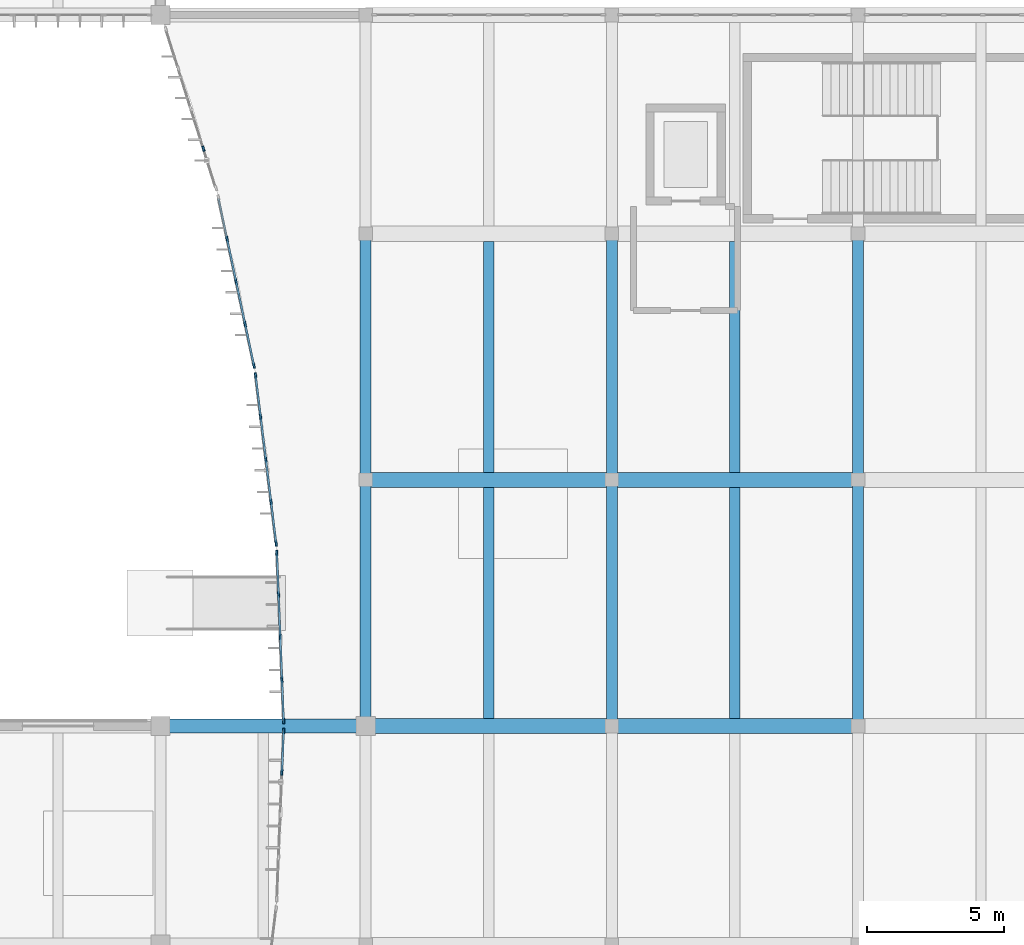
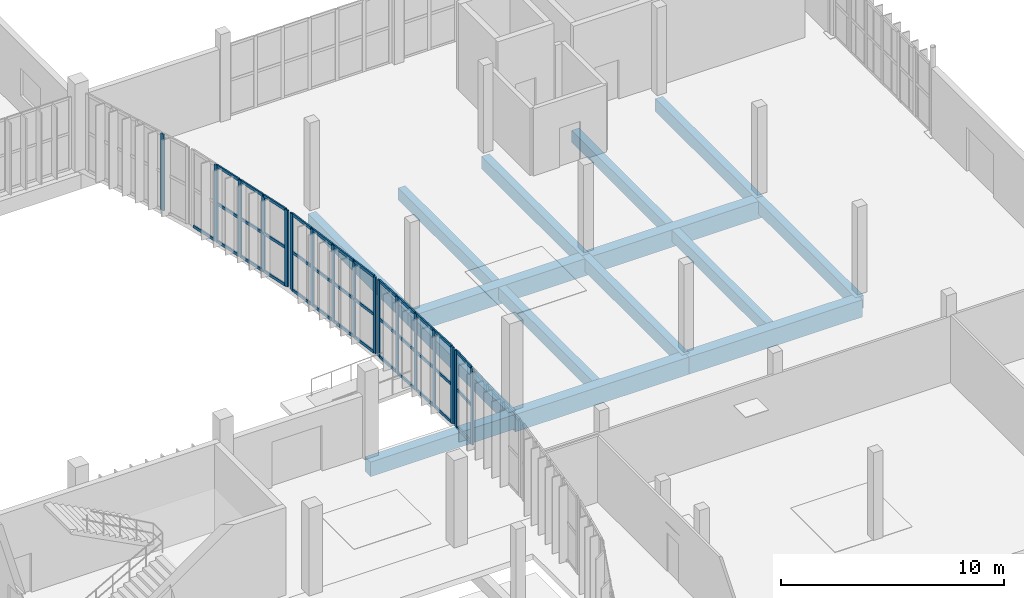
# One storey, part 29 of 72: 54 members, 15 beams, 5 elements without a shape of their own.
"""IFC4 building model written with IfcOpenShell, lengths in metres."""

from ifc_helpers import new_model, si_unit, direction, frame, origin, origin_2d, place, context, subcontext, project, spatial, rectangle, extrude, material, material_profile, profile_set, type_object, element, aggregate, save


model = new_model("IFC4")

# Units and contexts
model_context = context("Model", 3, precision=1e-05, world=origin(), true_north=direction((0.0, 1.0)))
body_context = subcontext(model_context, "Body", "Model", "MODEL_VIEW")
ifc_project = project(units=[si_unit("LENGTHUNIT", "METRE"), si_unit("AREAUNIT", "SQUARE_METRE"), si_unit("VOLUMEUNIT", "CUBIC_METRE"), si_unit("PLANEANGLEUNIT", "RADIAN"), si_unit("MASSUNIT", "GRAM", prefix="KILO")], contexts=[model_context])

# Site, building, storey
site_placement = place(None, origin())
site = spatial("IfcSite", under=ifc_project, at=site_placement, CompositionType="ELEMENT")
building_placement = place(site_placement, origin())
building = spatial("IfcBuilding", under=site, at=building_placement, Name="Vourika Railside Aquatics Centre", CompositionType="ELEMENT")
storey_placement = place(building_placement, origin())
storey = spatial("IfcBuildingStorey", under=building, at=storey_placement, Name="L00", CompositionType="ELEMENT", Elevation=0.0)

# Beams
ifc_material_1 = material(Name="Concrete C35/45", Category="concrete")
ifc_material_profile_1 = material_profile(ifc_material_1, rectangle(XDim=0.39990234375, YDim=0.699951171875, at=origin_2d()), Name="RC 400x700")
ifc_profile_set_1 = profile_set([ifc_material_profile_1], Name="Concrete C35/45")
beam_type_1 = type_object("IfcBeamType", Name="BM-GIRD-400x700", PredefinedType="BEAM", material=ifc_profile_set_1)
for number, where, z_axis, x_axis, name in (
    (1, (141.0, 66.0, -0.669921875), (0.0, 1.0, 0.0), (-1.0, 0.0, 0.0), "Floor Girder GY-L00-324"),
    (2, (141.0, 75.0, -0.669921875), (0.0, 1.0, 0.0), (-1.0, 0.0, 0.0), "Floor Girder GY-L00-325"),
    (3, (150.0, 66.0, -0.669921875), (0.0, 1.0, 0.0), (-1.0, 0.0, 0.0), "Floor Girder GY-L00-335"),
    (4, (150.0, 75.0, -0.669921875), (0.0, 1.0, 0.0), (-1.0, 0.0, 0.0), "Floor Girder GY-L00-336"),
    (5, (159.0, 66.0, -0.669921875), (0.0, 1.0, 0.0), (-1.0, 0.0, 0.0), "Floor Girder GY-L00-341"),
    (6, (159.0, 75.0, -0.669921875), (0.0, 1.0, 0.0), (-1.0, 0.0, 0.0), "Floor Girder GY-L00-342"),
):
    element("IfcBeam", number, at=place(storey_placement, frame(where, z_axis=z_axis, x_axis=x_axis)), inside=storey, type_object=beam_type_1, Name=name, PredefinedType="BEAM", context=body_context, shape_type="SweptSolid", body=[
        extrude(rectangle(XDim=0.39990234375, YDim=0.699951171875, at=origin_2d()), origin(), (0.0, 0.0, 1.0), 9.0),
    ])
ifc_material_2 = material(Name="Concrete C40/50", Category="concrete")
ifc_material_profile_2 = material_profile(ifc_material_2, rectangle(XDim=0.550048828125, YDim=0.949951171875, at=origin_2d()), Name="RC 550x950")
ifc_profile_set_2 = profile_set([ifc_material_profile_2], Name="Concrete C40/50")
beam_type_2 = type_object("IfcBeamType", Name="BM-GIRD-550x950", PredefinedType="BEAM", material=ifc_profile_set_2)
for number, where, z_axis, x_axis, name in (
    (7, (141.0, 66.0, -0.794921875), (1.0, 0.0, 0.0), (0.0, 1.0, 0.0), "Floor Beam GX-L00-111"),
    (8, (150.0, 66.0, -0.794921875), (1.0, 0.0, 0.0), (0.0, 1.0, 0.0), "Floor Beam GX-L00-112"),
    (9, (141.0, 75.0, -0.794921875), (1.0, 0.0, 0.0), (0.0, 1.0, 0.0), "Floor Beam GX-L00-116"),
    (10, (150.0, 75.0, -0.794921875), (1.0, 0.0, 0.0), (0.0, 1.0, 0.0), "Floor Beam GX-L00-117"),
):
    element("IfcBeam", number, at=place(storey_placement, frame(where, z_axis=z_axis, x_axis=x_axis)), inside=storey, type_object=beam_type_2, Name=name, PredefinedType="BEAM", context=body_context, shape_type="SweptSolid", body=[
        extrude(rectangle(XDim=0.550048828125, YDim=0.949951171875, at=origin_2d()), origin(), (0.0, 0.0, 1.0), 9.0),
    ])
ifc_material_profile_3 = material_profile(ifc_material_1, rectangle(XDim=0.3798828125, YDim=0.64990234375, at=origin_2d()), Name="RC 380x650")
ifc_profile_set_3 = profile_set([ifc_material_profile_3], Name="Concrete C35/45")
beam_type_3 = type_object("IfcBeamType", Name="BM-SEC-380x650", PredefinedType="JOIST", material=ifc_profile_set_3)
for number, where, z_axis, x_axis, name in (
    (11, (145.5, 66.27490234375, -0.64501953125), (0.0, 1.0, 0.0), (-1.0, 0.0, 0.0), "Secondary Joist JY-L00-421"),
    (12, (154.5, 66.27490234375, -0.64501953125), (0.0, 1.0, 0.0), (-1.0, 0.0, 0.0), "Secondary Joist JY-L00-422"),
    (13, (145.5, 75.27490234375, -0.64501953125), (0.0, 1.0, 0.0), (-1.0, 0.0, 0.0), "Secondary Joist JY-L00-426"),
    (14, (154.5, 75.27490234375, -0.64501953125), (0.0, 1.0, 0.0), (-1.0, 0.0, 0.0), "Secondary Joist JY-L00-427"),
):
    element("IfcBeam", number, at=place(storey_placement, frame(where, z_axis=z_axis, x_axis=x_axis)), inside=storey, type_object=beam_type_3, Name=name, PredefinedType="JOIST", context=body_context, shape_type="SweptSolid", body=[
        extrude(rectangle(XDim=0.3798828125, YDim=0.64990234375, at=origin_2d()), origin(), (0.0, 0.0, 1.0), 8.4501953125),
    ])
ifc_material_profile_4 = material_profile(ifc_material_2, rectangle(XDim=0.5, YDim=0.800048828125, at=origin_2d()), Name="RC 500x800")
ifc_profile_set_4 = profile_set([ifc_material_profile_4], Name="Concrete C40/50")
beam_type_4 = type_object("IfcBeamType", Name="BM-TIE-500x800", PredefinedType="BEAM", material=ifc_profile_set_4)
beam_placement = place(storey_placement, frame((133.5, 66.0, -0.719970703125), z_axis=(1.0, 0.0, 0.0), x_axis=(0.0, 1.0, 0.0)))
element("IfcBeam", 15, at=beam_placement, inside=storey, type_object=beam_type_4, Name="Floor Beam GX-L00-110", PredefinedType="BEAM", context=body_context, shape_type="SweptSolid", body=[
    extrude(rectangle(XDim=0.5, YDim=0.800048828125, at=origin_2d()), origin(), (0.0, 0.0, 1.0), 7.5),
])

# Curtain wall, members
ifc_material_3 = material(Name="Anodized thermally broken aluminium", Category="aluminium")
curtain_wall_type = type_object("IfcCurtainWallType", Name="CW-FOYC0", PredefinedType="NOTDEFINED", material=ifc_material_3)
curtain_wall_1_placement = place(storey_placement, origin())
curtain_wall_1 = element("IfcCurtainWall", 16, at=curtain_wall_1_placement, inside=storey, type_object=curtain_wall_type, Name="Curved Courtyard Foyer Curtain Wall L00-4", PredefinedType="NOTDEFINED")
ifc_material_4 = material(Name="Anodized aluminium mullion", Category="aluminium")
ifc_material_profile_5 = material_profile(ifc_material_4, rectangle(XDim=0.073974609375, YDim=0.195068359375, at=origin_2d()), Name="ALU-M 74x195")
ifc_profile_set_5 = profile_set([ifc_material_profile_5], Name="Anodized aluminium mullion")
member_type_1 = type_object("IfcMemberType", Name="CWM-FOYC0", PredefinedType="MULLION", material=ifc_profile_set_5)
member_1_placement = place(storey_placement, frame((137.99853515625, 65.822998046875, 0.0), z_axis=(0.0, 0.0, 1.0), x_axis=(0.999199675116, -0.040000115606, 0.0)))
member_1 = element("IfcMember", 17, at=member_1_placement, type_object=member_type_1, Name="CW07 mullion 1", PredefinedType="MULLION", context=body_context, shape_type="SweptSolid", body=[
    extrude(rectangle(XDim=0.073974609375, YDim=0.195068359375, at=origin_2d()), origin(), (0.0, 0.0, 1.0), 4.199951171875),
])
member_2_placement = place(storey_placement, frame((137.937744140625, 64.304931640625, 0.0), z_axis=(0.0, 0.0, 1.0), x_axis=(0.999199675116, -0.040000115606, 0.0)))
member_2 = element("IfcMember", 18, at=member_2_placement, type_object=member_type_1, Name="CW07 mullion 2", PredefinedType="MULLION", context=body_context, shape_type="SweptSolid", body=[
    extrude(rectangle(XDim=0.073974609375, YDim=0.195068359375, at=origin_2d()), origin(), (0.0, 0.0, 1.0), 4.199951171875),
])

curtain_wall_2_placement = place(storey_placement, origin())
curtain_wall_2 = element("IfcCurtainWall", 19, at=curtain_wall_2_placement, inside=storey, type_object=curtain_wall_type, Name="Curved Courtyard Foyer Curtain Wall L00-5", PredefinedType="NOTDEFINED")
member_3_placement = place(storey_placement, frame((137.75244140625, 72.322998046875, 0.0), z_axis=(0.0, 0.0, 1.0), x_axis=(0.999199675116, 0.040000115606, 0.0)))
member_3 = element("IfcMember", 20, at=member_3_placement, type_object=member_type_1, Name="CW07 mullion 1", PredefinedType="MULLION", context=body_context, shape_type="SweptSolid", body=[
    extrude(rectangle(XDim=0.073974609375, YDim=0.195068359375, at=origin_2d()), origin(), (0.0, 0.0, 1.0), 4.199951171875),
])
member_4_placement = place(storey_placement, frame((137.813232421875, 70.804931640625, 0.0), z_axis=(0.0, 0.0, 1.0), x_axis=(0.999199675116, 0.040000115606, 0.0)))
member_4 = element("IfcMember", 21, at=member_4_placement, type_object=member_type_1, Name="CW07 mullion 2", PredefinedType="MULLION", context=body_context, shape_type="SweptSolid", body=[
    extrude(rectangle(XDim=0.073974609375, YDim=0.195068359375, at=origin_2d()), origin(), (0.0, 0.0, 1.0), 4.199951171875),
])
member_5_placement = place(storey_placement, frame((137.87548828125, 69.25, 0.0), z_axis=(0.0, 0.0, 1.0), x_axis=(0.999199675116, 0.040000115606, 0.0)))
member_5 = element("IfcMember", 22, at=member_5_placement, type_object=member_type_1, Name="CW07 mullion 3", PredefinedType="MULLION", context=body_context, shape_type="SweptSolid", body=[
    extrude(rectangle(XDim=0.073974609375, YDim=0.195068359375, at=origin_2d()), origin(), (0.0, 0.0, 1.0), 4.199951171875),
])
member_6_placement = place(storey_placement, frame((137.937744140625, 67.695068359375, 0.0), z_axis=(0.0, 0.0, 1.0), x_axis=(0.999199675116, 0.040000115606, 0.0)))
member_6 = element("IfcMember", 23, at=member_6_placement, type_object=member_type_1, Name="CW07 mullion 4", PredefinedType="MULLION", context=body_context, shape_type="SweptSolid", body=[
    extrude(rectangle(XDim=0.073974609375, YDim=0.195068359375, at=origin_2d()), origin(), (0.0, 0.0, 1.0), 4.199951171875),
])
member_7_placement = place(storey_placement, frame((137.99853515625, 66.177001953125, 0.0), z_axis=(0.0, 0.0, 1.0), x_axis=(0.999199675116, 0.040000115606, 0.0)))
member_7 = element("IfcMember", 24, at=member_7_placement, type_object=member_type_1, Name="CW07 mullion 5", PredefinedType="MULLION", context=body_context, shape_type="SweptSolid", body=[
    extrude(rectangle(XDim=0.073974609375, YDim=0.195068359375, at=origin_2d()), origin(), (0.0, 0.0, 1.0), 4.199951171875),
])

curtain_wall_3_placement = place(storey_placement, origin())
curtain_wall_3 = element("IfcCurtainWall", 25, at=curtain_wall_3_placement, inside=storey, type_object=curtain_wall_type, Name="Curved Courtyard Foyer Curtain Wall L00-6", PredefinedType="NOTDEFINED")
member_8_placement = place(storey_placement, frame((136.972412109375, 78.8232421875, 0.0), z_axis=(0.0, 0.0, 1.0), x_axis=(0.992598563525, 0.121441721361, 0.0)))
member_8 = element("IfcMember", 26, at=member_8_placement, type_object=member_type_1, Name="CW07 mullion 1", PredefinedType="MULLION", context=body_context, shape_type="SweptSolid", body=[
    extrude(rectangle(XDim=0.073974609375, YDim=0.195068359375, at=origin_2d()), origin(), (0.0, 0.0, 1.0), 4.199951171875),
])
member_9_placement = place(storey_placement, frame((137.158203125, 77.304931640625, 0.0), z_axis=(0.0, 0.0, 1.0), x_axis=(0.992598563525, 0.121441721361, 0.0)))
member_9 = element("IfcMember", 27, at=member_9_placement, type_object=member_type_1, Name="CW07 mullion 2", PredefinedType="MULLION", context=body_context, shape_type="SweptSolid", body=[
    extrude(rectangle(XDim=0.073974609375, YDim=0.195068359375, at=origin_2d()), origin(), (0.0, 0.0, 1.0), 4.199951171875),
])
member_10_placement = place(storey_placement, frame((137.348388671875, 75.75, 0.0), z_axis=(0.0, 0.0, 1.0), x_axis=(0.992598563525, 0.121441721361, 0.0)))
member_10 = element("IfcMember", 28, at=member_10_placement, type_object=member_type_1, Name="CW07 mullion 3", PredefinedType="MULLION", context=body_context, shape_type="SweptSolid", body=[
    extrude(rectangle(XDim=0.073974609375, YDim=0.195068359375, at=origin_2d()), origin(), (0.0, 0.0, 1.0), 4.199951171875),
])
member_11_placement = place(storey_placement, frame((137.538818359375, 74.195068359375, 0.0), z_axis=(0.0, 0.0, 1.0), x_axis=(0.992598563525, 0.121441721361, 0.0)))
member_11 = element("IfcMember", 29, at=member_11_placement, type_object=member_type_1, Name="CW07 mullion 4", PredefinedType="MULLION", context=body_context, shape_type="SweptSolid", body=[
    extrude(rectangle(XDim=0.073974609375, YDim=0.195068359375, at=origin_2d()), origin(), (0.0, 0.0, 1.0), 4.199951171875),
])
member_12_placement = place(storey_placement, frame((137.724609375, 72.6767578125, 0.0), z_axis=(0.0, 0.0, 1.0), x_axis=(0.992598563525, 0.121441721361, 0.0)))
member_12 = element("IfcMember", 30, at=member_12_placement, type_object=member_type_1, Name="CW07 mullion 5", PredefinedType="MULLION", context=body_context, shape_type="SweptSolid", body=[
    extrude(rectangle(XDim=0.073974609375, YDim=0.195068359375, at=origin_2d()), origin(), (0.0, 0.0, 1.0), 4.199951171875),
])

curtain_wall_4_placement = place(storey_placement, origin())
curtain_wall_4 = element("IfcCurtainWall", 31, at=curtain_wall_4_placement, inside=storey, type_object=curtain_wall_type, Name="Curved Courtyard Foyer Curtain Wall L00-7", PredefinedType="NOTDEFINED")
member_13_placement = place(storey_placement, frame((135.931884765625, 83.804931640625, 0.0), z_axis=(0.0, 0.0, 1.0), x_axis=(0.978214773139, 0.207595418094, 0.0)))
member_13 = element("IfcMember", 32, at=member_13_placement, type_object=member_type_1, Name="CW07 mullion 2", PredefinedType="MULLION", context=body_context, shape_type="SweptSolid", body=[
    extrude(rectangle(XDim=0.073974609375, YDim=0.195068359375, at=origin_2d()), origin(), (0.0, 0.0, 1.0), 4.199951171875),
])
member_14_placement = place(storey_placement, frame((136.261962890625, 82.25, 0.0), z_axis=(0.0, 0.0, 1.0), x_axis=(0.978214773139, 0.207595418094, 0.0)))
member_14 = element("IfcMember", 33, at=member_14_placement, type_object=member_type_1, Name="CW07 mullion 3", PredefinedType="MULLION", context=body_context, shape_type="SweptSolid", body=[
    extrude(rectangle(XDim=0.073974609375, YDim=0.195068359375, at=origin_2d()), origin(), (0.0, 0.0, 1.0), 4.199951171875),
])
member_15_placement = place(storey_placement, frame((136.592041015625, 80.695068359375, 0.0), z_axis=(0.0, 0.0, 1.0), x_axis=(0.978214773139, 0.207595418094, 0.0)))
member_15 = element("IfcMember", 34, at=member_15_placement, type_object=member_type_1, Name="CW07 mullion 4", PredefinedType="MULLION", context=body_context, shape_type="SweptSolid", body=[
    extrude(rectangle(XDim=0.073974609375, YDim=0.195068359375, at=origin_2d()), origin(), (0.0, 0.0, 1.0), 4.199951171875),
])
member_16_placement = place(storey_placement, frame((136.914306640625, 79.17626953125, 0.0), z_axis=(0.0, 0.0, 1.0), x_axis=(0.978214773139, 0.207595418094, 0.0)))
member_16 = element("IfcMember", 35, at=member_16_placement, type_object=member_type_1, Name="CW07 mullion 5", PredefinedType="MULLION", context=body_context, shape_type="SweptSolid", body=[
    extrude(rectangle(XDim=0.073974609375, YDim=0.195068359375, at=origin_2d()), origin(), (0.0, 0.0, 1.0), 4.199951171875),
])

# Curtain wall, member
curtain_wall_5_placement = place(storey_placement, origin())
curtain_wall_5 = element("IfcCurtainWall", 36, at=curtain_wall_5_placement, inside=storey, type_object=curtain_wall_type, Name="Curved Courtyard Foyer Curtain Wall L00-8", PredefinedType="NOTDEFINED")
member_17_placement = place(storey_placement, frame((135.066650390625, 87.110107421875, 0.0), z_axis=(0.0, 0.0, 1.0), x_axis=(0.953947300696, 0.29997424472, 0.0)))
member_17 = element("IfcMember", 37, at=member_17_placement, type_object=member_type_1, Name="CW07 mullion 4", PredefinedType="MULLION", context=body_context, shape_type="SweptSolid", body=[
    extrude(rectangle(XDim=0.073974609375, YDim=0.195068359375, at=origin_2d()), origin(), (0.0, 0.0, 1.0), 4.199951171875),
])
aggregate(curtain_wall_5, [member_17])

# Member
ifc_material_5 = material(Name="Anodized aluminium transom", Category="aluminium")
ifc_material_profile_6 = material_profile(ifc_material_5, rectangle(XDim=0.073974609375, YDim=0.155029296875, at=origin_2d()), Name="ALU-T 74x155")
ifc_profile_set_6 = profile_set([ifc_material_profile_6], Name="Anodized aluminium transom")
member_type_2 = type_object("IfcMemberType", Name="CWT-FOYC0", PredefinedType="USERDEFINED", material=ifc_profile_set_6)
member_18_placement = place(storey_placement, frame((137.9970703125, 65.7861328125, 0.037109375), z_axis=(-0.040035500783, -0.999198257943, 0.0), x_axis=(0.999198257943, -0.040035500783, 0.0)))
member_18 = element("IfcMember", 38, at=member_18_placement, type_object=member_type_2, Name="CW07 transom 1.1", ObjectType="TRANSOM", PredefinedType="USERDEFINED", context=body_context, shape_type="SweptSolid", body=[
    extrude(rectangle(XDim=0.073974609375, YDim=0.155029296875, at=origin_2d()), origin(), (0.0, 0.0, 1.0), 1.4453125),
])

member_19_placement = place(storey_placement, frame((137.9970703125, 65.7861328125, 2.10009765625), z_axis=(-0.040035500783, -0.999198257943, 0.0), x_axis=(0.999198257943, -0.040035500783, 0.0)))
member_19 = element("IfcMember", 39, at=member_19_placement, type_object=member_type_2, Name="CW07 transom 1.2", ObjectType="TRANSOM", PredefinedType="USERDEFINED", context=body_context, shape_type="SweptSolid", body=[
    extrude(rectangle(XDim=0.073974609375, YDim=0.155029296875, at=origin_2d()), origin(), (0.0, 0.0, 1.0), 1.4453125),
])

member_20_placement = place(storey_placement, frame((137.9970703125, 65.7861328125, 4.1630859375), z_axis=(-0.040035500783, -0.999198257943, 0.0), x_axis=(0.999198257943, -0.040035500783, 0.0)))
member_20 = element("IfcMember", 40, at=member_20_placement, type_object=member_type_2, Name="CW07 transom 1.3", ObjectType="TRANSOM", PredefinedType="USERDEFINED", context=body_context, shape_type="SweptSolid", body=[
    extrude(rectangle(XDim=0.073974609375, YDim=0.155029296875, at=origin_2d()), origin(), (0.0, 0.0, 1.0), 1.4453125),
])

aggregate(curtain_wall_1, [member_1, member_2, member_18, member_19, member_20])

member_21_placement = place(storey_placement, frame((137.75390625, 72.2861328125, 0.037109375), z_axis=(0.040035500783, -0.999198257943, 0.0), x_axis=(0.999198257943, 0.040035500783, 0.0)))
member_21 = element("IfcMember", 41, at=member_21_placement, type_object=member_type_2, Name="CW07 transom 1.1", ObjectType="TRANSOM", PredefinedType="USERDEFINED", context=body_context, shape_type="SweptSolid", body=[
    extrude(rectangle(XDim=0.073974609375, YDim=0.155029296875, at=origin_2d()), origin(), (0.0, 0.0, 1.0), 1.4453125),
])

member_22_placement = place(storey_placement, frame((137.75390625, 72.2861328125, 2.10009765625), z_axis=(0.040035500783, -0.999198257943, 0.0), x_axis=(0.999198257943, 0.040035500783, 0.0)))
member_22 = element("IfcMember", 42, at=member_22_placement, type_object=member_type_2, Name="CW07 transom 1.2", ObjectType="TRANSOM", PredefinedType="USERDEFINED", context=body_context, shape_type="SweptSolid", body=[
    extrude(rectangle(XDim=0.073974609375, YDim=0.155029296875, at=origin_2d()), origin(), (0.0, 0.0, 1.0), 1.4453125),
])

member_23_placement = place(storey_placement, frame((137.75390625, 72.2861328125, 4.1630859375), z_axis=(0.040035500783, -0.999198257943, 0.0), x_axis=(0.999198257943, 0.040035500783, 0.0)))
member_23 = element("IfcMember", 43, at=member_23_placement, type_object=member_type_2, Name="CW07 transom 1.3", ObjectType="TRANSOM", PredefinedType="USERDEFINED", context=body_context, shape_type="SweptSolid", body=[
    extrude(rectangle(XDim=0.073974609375, YDim=0.155029296875, at=origin_2d()), origin(), (0.0, 0.0, 1.0), 1.4453125),
])

member_24_placement = place(storey_placement, frame((137.814697265625, 70.76806640625, 0.037109375), z_axis=(0.040020656204, -0.99919885262, 0.0), x_axis=(0.99919885262, 0.040020656204, 0.0)))
member_24 = element("IfcMember", 44, at=member_24_placement, type_object=member_type_2, Name="CW07 transom 2.1", ObjectType="TRANSOM", PredefinedType="USERDEFINED", context=body_context, shape_type="SweptSolid", body=[
    extrude(rectangle(XDim=0.073974609375, YDim=0.155029296875, at=origin_2d()), origin(), (0.0, 0.0, 1.0), 1.482421875),
])

member_25_placement = place(storey_placement, frame((137.814697265625, 70.76806640625, 2.10009765625), z_axis=(0.040020656204, -0.99919885262, 0.0), x_axis=(0.99919885262, 0.040020656204, 0.0)))
member_25 = element("IfcMember", 45, at=member_25_placement, type_object=member_type_2, Name="CW07 transom 2.2", ObjectType="TRANSOM", PredefinedType="USERDEFINED", context=body_context, shape_type="SweptSolid", body=[
    extrude(rectangle(XDim=0.073974609375, YDim=0.155029296875, at=origin_2d()), origin(), (0.0, 0.0, 1.0), 1.482421875),
])

member_26_placement = place(storey_placement, frame((137.814697265625, 70.76806640625, 4.1630859375), z_axis=(0.040020656204, -0.99919885262, 0.0), x_axis=(0.99919885262, 0.040020656204, 0.0)))
member_26 = element("IfcMember", 46, at=member_26_placement, type_object=member_type_2, Name="CW07 transom 2.3", ObjectType="TRANSOM", PredefinedType="USERDEFINED", context=body_context, shape_type="SweptSolid", body=[
    extrude(rectangle(XDim=0.073974609375, YDim=0.155029296875, at=origin_2d()), origin(), (0.0, 0.0, 1.0), 1.482421875),
])

member_27_placement = place(storey_placement, frame((137.876953125, 69.213134765625, 0.037109375), z_axis=(0.040020656204, -0.99919885262, 0.0), x_axis=(0.99919885262, 0.040020656204, 0.0)))
member_27 = element("IfcMember", 47, at=member_27_placement, type_object=member_type_2, Name="CW07 transom 3.1", ObjectType="TRANSOM", PredefinedType="USERDEFINED", context=body_context, shape_type="SweptSolid", body=[
    extrude(rectangle(XDim=0.073974609375, YDim=0.155029296875, at=origin_2d()), origin(), (0.0, 0.0, 1.0), 1.482421875),
])

member_28_placement = place(storey_placement, frame((137.876953125, 69.213134765625, 2.10009765625), z_axis=(0.040020656204, -0.99919885262, 0.0), x_axis=(0.99919885262, 0.040020656204, 0.0)))
member_28 = element("IfcMember", 48, at=member_28_placement, type_object=member_type_2, Name="CW07 transom 3.2", ObjectType="TRANSOM", PredefinedType="USERDEFINED", context=body_context, shape_type="SweptSolid", body=[
    extrude(rectangle(XDim=0.073974609375, YDim=0.155029296875, at=origin_2d()), origin(), (0.0, 0.0, 1.0), 1.482421875),
])

member_29_placement = place(storey_placement, frame((137.876953125, 69.213134765625, 4.1630859375), z_axis=(0.040020656204, -0.99919885262, 0.0), x_axis=(0.99919885262, 0.040020656204, 0.0)))
member_29 = element("IfcMember", 49, at=member_29_placement, type_object=member_type_2, Name="CW07 transom 3.3", ObjectType="TRANSOM", PredefinedType="USERDEFINED", context=body_context, shape_type="SweptSolid", body=[
    extrude(rectangle(XDim=0.073974609375, YDim=0.155029296875, at=origin_2d()), origin(), (0.0, 0.0, 1.0), 1.482421875),
])

member_30_placement = place(storey_placement, frame((137.939208984375, 67.657958984375, 0.037109375), z_axis=(0.040035500783, -0.999198257943, 0.0), x_axis=(0.999198257943, 0.040035500783, 0.0)))
member_30 = element("IfcMember", 50, at=member_30_placement, type_object=member_type_2, Name="CW07 transom 4.1", ObjectType="TRANSOM", PredefinedType="USERDEFINED", context=body_context, shape_type="SweptSolid", body=[
    extrude(rectangle(XDim=0.073974609375, YDim=0.155029296875, at=origin_2d()), origin(), (0.0, 0.0, 1.0), 1.4453125),
])

member_31_placement = place(storey_placement, frame((137.939208984375, 67.657958984375, 2.10009765625), z_axis=(0.040035500783, -0.999198257943, 0.0), x_axis=(0.999198257943, 0.040035500783, 0.0)))
member_31 = element("IfcMember", 51, at=member_31_placement, type_object=member_type_2, Name="CW07 transom 4.2", ObjectType="TRANSOM", PredefinedType="USERDEFINED", context=body_context, shape_type="SweptSolid", body=[
    extrude(rectangle(XDim=0.073974609375, YDim=0.155029296875, at=origin_2d()), origin(), (0.0, 0.0, 1.0), 1.4453125),
])

member_32_placement = place(storey_placement, frame((137.939208984375, 67.657958984375, 4.1630859375), z_axis=(0.040035500783, -0.999198257943, 0.0), x_axis=(0.999198257943, 0.040035500783, 0.0)))
member_32 = element("IfcMember", 52, at=member_32_placement, type_object=member_type_2, Name="CW07 transom 4.3", ObjectType="TRANSOM", PredefinedType="USERDEFINED", context=body_context, shape_type="SweptSolid", body=[
    extrude(rectangle(XDim=0.073974609375, YDim=0.155029296875, at=origin_2d()), origin(), (0.0, 0.0, 1.0), 1.4453125),
])

aggregate(curtain_wall_2, [member_3, member_4, member_5, member_6, member_7, member_21, member_22, member_23, member_24, member_25, member_26, member_27, member_28, member_29, member_30, member_31, member_32])

member_33_placement = place(storey_placement, frame((136.97705078125, 78.78662109375, 0.037109375), z_axis=(0.121433272784, -0.992599597149, 0.0), x_axis=(0.992599597149, 0.121433272784, 0.0)))
member_33 = element("IfcMember", 53, at=member_33_placement, type_object=member_type_2, Name="CW07 transom 1.1", ObjectType="TRANSOM", PredefinedType="USERDEFINED", context=body_context, shape_type="SweptSolid", body=[
    extrude(rectangle(XDim=0.073974609375, YDim=0.155029296875, at=origin_2d()), origin(), (0.0, 0.0, 1.0), 1.45556640625),
])

member_34_placement = place(storey_placement, frame((136.97705078125, 78.78662109375, 2.10009765625), z_axis=(0.121433272784, -0.992599597149, 0.0), x_axis=(0.992599597149, 0.121433272784, 0.0)))
member_34 = element("IfcMember", 54, at=member_34_placement, type_object=member_type_2, Name="CW07 transom 1.2", ObjectType="TRANSOM", PredefinedType="USERDEFINED", context=body_context, shape_type="SweptSolid", body=[
    extrude(rectangle(XDim=0.073974609375, YDim=0.155029296875, at=origin_2d()), origin(), (0.0, 0.0, 1.0), 1.45556640625),
])

member_35_placement = place(storey_placement, frame((136.97705078125, 78.78662109375, 4.1630859375), z_axis=(0.121433272784, -0.992599597149, 0.0), x_axis=(0.992599597149, 0.121433272784, 0.0)))
member_35 = element("IfcMember", 55, at=member_35_placement, type_object=member_type_2, Name="CW07 transom 1.3", ObjectType="TRANSOM", PredefinedType="USERDEFINED", context=body_context, shape_type="SweptSolid", body=[
    extrude(rectangle(XDim=0.073974609375, YDim=0.155029296875, at=origin_2d()), origin(), (0.0, 0.0, 1.0), 1.45556640625),
])

member_36_placement = place(storey_placement, frame((137.162841796875, 77.268310546875, 0.037109375), z_axis=(0.121357030774, -0.99260892152, 0.0), x_axis=(0.99260892152, 0.121357030774, 0.0)))
member_36 = element("IfcMember", 56, at=member_36_placement, type_object=member_type_2, Name="CW07 transom 2.1", ObjectType="TRANSOM", PredefinedType="USERDEFINED", context=body_context, shape_type="SweptSolid", body=[
    extrude(rectangle(XDim=0.073974609375, YDim=0.155029296875, at=origin_2d()), origin(), (0.0, 0.0, 1.0), 1.49267578125),
])

member_37_placement = place(storey_placement, frame((137.162841796875, 77.268310546875, 2.10009765625), z_axis=(0.121357030774, -0.99260892152, 0.0), x_axis=(0.99260892152, 0.121357030774, 0.0)))
member_37 = element("IfcMember", 57, at=member_37_placement, type_object=member_type_2, Name="CW07 transom 2.2", ObjectType="TRANSOM", PredefinedType="USERDEFINED", context=body_context, shape_type="SweptSolid", body=[
    extrude(rectangle(XDim=0.073974609375, YDim=0.155029296875, at=origin_2d()), origin(), (0.0, 0.0, 1.0), 1.49267578125),
])

member_38_placement = place(storey_placement, frame((137.162841796875, 77.268310546875, 4.1630859375), z_axis=(0.121357030774, -0.99260892152, 0.0), x_axis=(0.99260892152, 0.121357030774, 0.0)))
member_38 = element("IfcMember", 58, at=member_38_placement, type_object=member_type_2, Name="CW07 transom 2.3", ObjectType="TRANSOM", PredefinedType="USERDEFINED", context=body_context, shape_type="SweptSolid", body=[
    extrude(rectangle(XDim=0.073974609375, YDim=0.155029296875, at=origin_2d()), origin(), (0.0, 0.0, 1.0), 1.49267578125),
])

member_39_placement = place(storey_placement, frame((137.35302734375, 75.71337890625, 0.037109375), z_axis=(0.121357030774, -0.99260892152, 0.0), x_axis=(0.99260892152, 0.121357030774, 0.0)))
member_39 = element("IfcMember", 59, at=member_39_placement, type_object=member_type_2, Name="CW07 transom 3.1", ObjectType="TRANSOM", PredefinedType="USERDEFINED", context=body_context, shape_type="SweptSolid", body=[
    extrude(rectangle(XDim=0.073974609375, YDim=0.155029296875, at=origin_2d()), origin(), (0.0, 0.0, 1.0), 1.49267578125),
])

member_40_placement = place(storey_placement, frame((137.35302734375, 75.71337890625, 2.10009765625), z_axis=(0.121357030774, -0.99260892152, 0.0), x_axis=(0.99260892152, 0.121357030774, 0.0)))
member_40 = element("IfcMember", 60, at=member_40_placement, type_object=member_type_2, Name="CW07 transom 3.2", ObjectType="TRANSOM", PredefinedType="USERDEFINED", context=body_context, shape_type="SweptSolid", body=[
    extrude(rectangle(XDim=0.073974609375, YDim=0.155029296875, at=origin_2d()), origin(), (0.0, 0.0, 1.0), 1.49267578125),
])

member_41_placement = place(storey_placement, frame((137.35302734375, 75.71337890625, 4.1630859375), z_axis=(0.121357030774, -0.99260892152, 0.0), x_axis=(0.99260892152, 0.121357030774, 0.0)))
member_41 = element("IfcMember", 61, at=member_41_placement, type_object=member_type_2, Name="CW07 transom 3.3", ObjectType="TRANSOM", PredefinedType="USERDEFINED", context=body_context, shape_type="SweptSolid", body=[
    extrude(rectangle(XDim=0.073974609375, YDim=0.155029296875, at=origin_2d()), origin(), (0.0, 0.0, 1.0), 1.49267578125),
])

member_42_placement = place(storey_placement, frame((137.543212890625, 74.158203125, 0.037109375), z_axis=(0.121433272784, -0.992599597149, 0.0), x_axis=(0.992599597149, 0.121433272784, 0.0)))
member_42 = element("IfcMember", 62, at=member_42_placement, type_object=member_type_2, Name="CW07 transom 4.1", ObjectType="TRANSOM", PredefinedType="USERDEFINED", context=body_context, shape_type="SweptSolid", body=[
    extrude(rectangle(XDim=0.073974609375, YDim=0.155029296875, at=origin_2d()), origin(), (0.0, 0.0, 1.0), 1.45556640625),
])

member_43_placement = place(storey_placement, frame((137.543212890625, 74.158203125, 2.10009765625), z_axis=(0.121433272784, -0.992599597149, 0.0), x_axis=(0.992599597149, 0.121433272784, 0.0)))
member_43 = element("IfcMember", 63, at=member_43_placement, type_object=member_type_2, Name="CW07 transom 4.2", ObjectType="TRANSOM", PredefinedType="USERDEFINED", context=body_context, shape_type="SweptSolid", body=[
    extrude(rectangle(XDim=0.073974609375, YDim=0.155029296875, at=origin_2d()), origin(), (0.0, 0.0, 1.0), 1.45556640625),
])

member_44_placement = place(storey_placement, frame((137.543212890625, 74.158203125, 4.1630859375), z_axis=(0.121433272784, -0.992599597149, 0.0), x_axis=(0.992599597149, 0.121433272784, 0.0)))
member_44 = element("IfcMember", 64, at=member_44_placement, type_object=member_type_2, Name="CW07 transom 4.3", ObjectType="TRANSOM", PredefinedType="USERDEFINED", context=body_context, shape_type="SweptSolid", body=[
    extrude(rectangle(XDim=0.073974609375, YDim=0.155029296875, at=origin_2d()), origin(), (0.0, 0.0, 1.0), 1.45556640625),
])

aggregate(curtain_wall_3, [member_8, member_9, member_10, member_11, member_12, member_33, member_34, member_35, member_36, member_37, member_38, member_39, member_40, member_41, member_42, member_43, member_44])

member_45_placement = place(storey_placement, frame((135.617431640625, 85.28759765625, 0.037109375), z_axis=(0.207566457587, -0.97822091865, 0.0), x_axis=(0.97822091865, 0.207566457587, 0.0)))
member_45 = element("IfcMember", 65, at=member_45_placement, type_object=member_type_2, Name="CW07 transom 1.1", ObjectType="TRANSOM", PredefinedType="USERDEFINED", context=body_context, shape_type="SweptSolid", body=[
    extrude(rectangle(XDim=0.073974609375, YDim=0.155029296875, at=origin_2d()), origin(), (0.0, 0.0, 1.0), 1.478515625),
])

member_46_placement = place(storey_placement, frame((135.939697265625, 83.768798828125, 0.037109375), z_axis=(0.207625649931, -0.978208356891, 0.0), x_axis=(0.978208356891, 0.207625649931, 0.0)))
member_46 = element("IfcMember", 66, at=member_46_placement, type_object=member_type_2, Name="CW07 transom 2.1", ObjectType="TRANSOM", PredefinedType="USERDEFINED", context=body_context, shape_type="SweptSolid", body=[
    extrude(rectangle(XDim=0.073974609375, YDim=0.155029296875, at=origin_2d()), origin(), (0.0, 0.0, 1.0), 1.515625),
])

member_47_placement = place(storey_placement, frame((135.939697265625, 83.768798828125, 2.10009765625), z_axis=(0.207625649931, -0.978208356891, 0.0), x_axis=(0.978208356891, 0.207625649931, 0.0)))
member_47 = element("IfcMember", 67, at=member_47_placement, type_object=member_type_2, Name="CW07 transom 2.2", ObjectType="TRANSOM", PredefinedType="USERDEFINED", context=body_context, shape_type="SweptSolid", body=[
    extrude(rectangle(XDim=0.073974609375, YDim=0.155029296875, at=origin_2d()), origin(), (0.0, 0.0, 1.0), 1.515625),
])

member_48_placement = place(storey_placement, frame((135.939697265625, 83.768798828125, 4.1630859375), z_axis=(0.207625649931, -0.978208356891, 0.0), x_axis=(0.978208356891, 0.207625649931, 0.0)))
member_48 = element("IfcMember", 68, at=member_48_placement, type_object=member_type_2, Name="CW07 transom 2.3", ObjectType="TRANSOM", PredefinedType="USERDEFINED", context=body_context, shape_type="SweptSolid", body=[
    extrude(rectangle(XDim=0.073974609375, YDim=0.155029296875, at=origin_2d()), origin(), (0.0, 0.0, 1.0), 1.515625),
])

member_49_placement = place(storey_placement, frame((136.269775390625, 82.2138671875, 0.037109375), z_axis=(0.207471510907, -0.978241060354, 0.0), x_axis=(0.978241060354, 0.207471510907, 0.0)))
member_49 = element("IfcMember", 69, at=member_49_placement, type_object=member_type_2, Name="CW07 transom 3.1", ObjectType="TRANSOM", PredefinedType="USERDEFINED", context=body_context, shape_type="SweptSolid", body=[
    extrude(rectangle(XDim=0.073974609375, YDim=0.155029296875, at=origin_2d()), origin(), (0.0, 0.0, 1.0), 1.515625),
])

member_50_placement = place(storey_placement, frame((136.269775390625, 82.2138671875, 2.10009765625), z_axis=(0.207471510907, -0.978241060354, 0.0), x_axis=(0.978241060354, 0.207471510907, 0.0)))
member_50 = element("IfcMember", 70, at=member_50_placement, type_object=member_type_2, Name="CW07 transom 3.2", ObjectType="TRANSOM", PredefinedType="USERDEFINED", context=body_context, shape_type="SweptSolid", body=[
    extrude(rectangle(XDim=0.073974609375, YDim=0.155029296875, at=origin_2d()), origin(), (0.0, 0.0, 1.0), 1.515625),
])

member_51_placement = place(storey_placement, frame((136.269775390625, 82.2138671875, 4.1630859375), z_axis=(0.207471510907, -0.978241060354, 0.0), x_axis=(0.978241060354, 0.207471510907, 0.0)))
member_51 = element("IfcMember", 71, at=member_51_placement, type_object=member_type_2, Name="CW07 transom 3.3", ObjectType="TRANSOM", PredefinedType="USERDEFINED", context=body_context, shape_type="SweptSolid", body=[
    extrude(rectangle(XDim=0.073974609375, YDim=0.155029296875, at=origin_2d()), origin(), (0.0, 0.0, 1.0), 1.515625),
])

member_52_placement = place(storey_placement, frame((136.599609375, 80.65869140625, 0.037109375), z_axis=(0.207724463541, -0.978187378393, 0.0), x_axis=(0.978187378393, 0.207724463541, 0.0)))
member_52 = element("IfcMember", 72, at=member_52_placement, type_object=member_type_2, Name="CW07 transom 4.1", ObjectType="TRANSOM", PredefinedType="USERDEFINED", context=body_context, shape_type="SweptSolid", body=[
    extrude(rectangle(XDim=0.073974609375, YDim=0.155029296875, at=origin_2d()), origin(), (0.0, 0.0, 1.0), 1.478515625),
])

member_53_placement = place(storey_placement, frame((136.599609375, 80.65869140625, 2.10009765625), z_axis=(0.207724463541, -0.978187378393, 0.0), x_axis=(0.978187378393, 0.207724463541, 0.0)))
member_53 = element("IfcMember", 73, at=member_53_placement, type_object=member_type_2, Name="CW07 transom 4.2", ObjectType="TRANSOM", PredefinedType="USERDEFINED", context=body_context, shape_type="SweptSolid", body=[
    extrude(rectangle(XDim=0.073974609375, YDim=0.155029296875, at=origin_2d()), origin(), (0.0, 0.0, 1.0), 1.478515625),
])

member_54_placement = place(storey_placement, frame((136.599609375, 80.65869140625, 4.1630859375), z_axis=(0.207724463541, -0.978187378393, 0.0), x_axis=(0.978187378393, 0.207724463541, 0.0)))
member_54 = element("IfcMember", 74, at=member_54_placement, type_object=member_type_2, Name="CW07 transom 4.3", ObjectType="TRANSOM", PredefinedType="USERDEFINED", context=body_context, shape_type="SweptSolid", body=[
    extrude(rectangle(XDim=0.073974609375, YDim=0.155029296875, at=origin_2d()), origin(), (0.0, 0.0, 1.0), 1.478515625),
])

aggregate(curtain_wall_4, [member_13, member_14, member_15, member_16, member_45, member_46, member_47, member_48, member_49, member_50, member_51, member_52, member_53, member_54])

save(model, "model.ifc")
